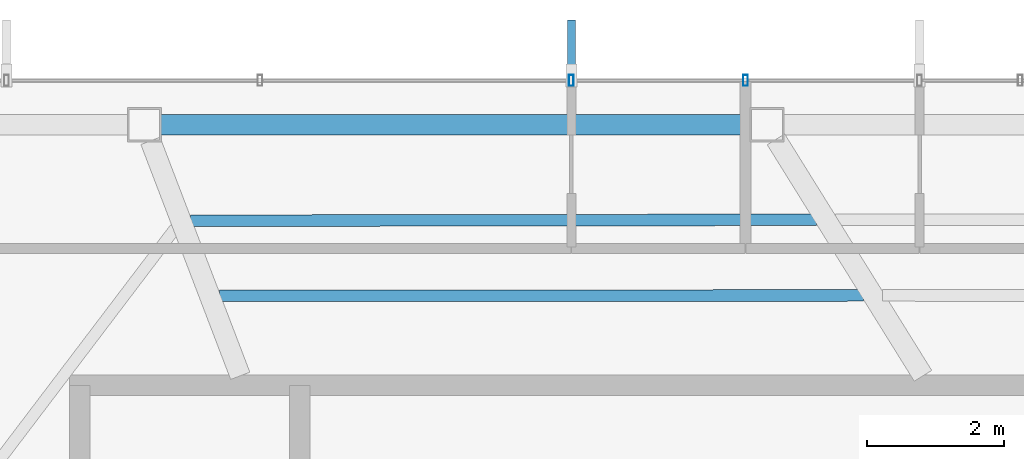
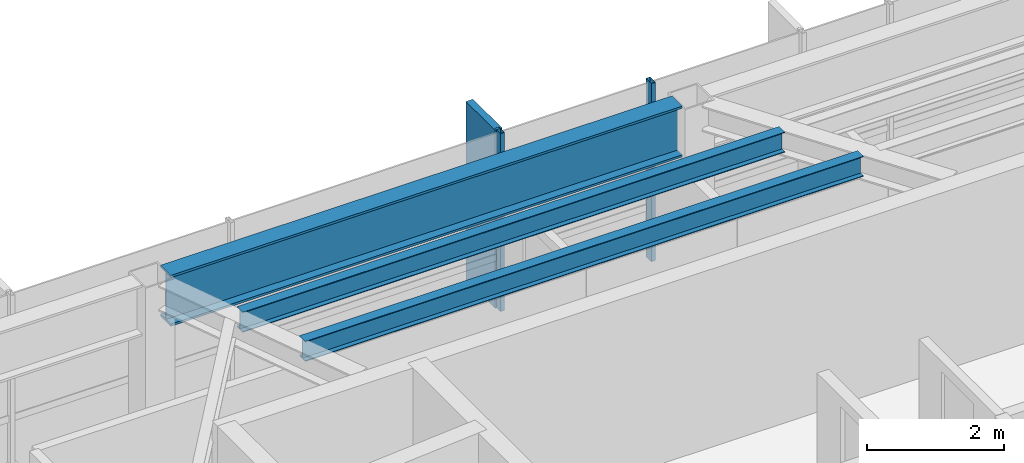
# One storey, part 12 of 26: 3 beams, 3 members, 1 element without a shape of its own.
"""IFC4 building model written with IfcOpenShell, lengths in metres."""

from ifc_helpers import new_model, si_unit, direction, frame, origin, origin_2d, place, context, subcontext, project, spatial, rectangle, hollow_rectangle, i_section, extrude, material, layer, layer_set, material_profile, profile_set, type_object, element, aggregate, save


model = new_model("IFC4")

# Units and contexts
model_context = context("Model", 3, precision=1e-05, world=origin(), true_north=direction((0.0, 1.0)))
body_context = subcontext(model_context, "Body", "Model", "MODEL_VIEW")
ifc_project = project(units=[si_unit("LENGTHUNIT", "METRE"), si_unit("AREAUNIT", "SQUARE_METRE"), si_unit("VOLUMEUNIT", "CUBIC_METRE"), si_unit("PLANEANGLEUNIT", "RADIAN"), si_unit("MASSUNIT", "GRAM", prefix="KILO")], contexts=[model_context])

# Site, building, storey
site_placement = place(None, origin())
site = spatial("IfcSite", under=ifc_project, at=site_placement, CompositionType="ELEMENT")
building_placement = place(site_placement, origin())
building = spatial("IfcBuilding", under=site, at=building_placement, Name="Zarrinselat Tower", CompositionType="ELEMENT")
storey_placement = place(building_placement, frame((0.0, 0.0, 258.39990234375)))
storey = spatial("IfcBuildingStorey", under=building, at=storey_placement, Name="L65", CompositionType="ELEMENT", Elevation=258.39990234375)

# Beams
ifc_material_1 = material(Name="Steel S460M", Category="steel")
ifc_material_profile_1 = material_profile(ifc_material_1, i_section(OverallWidth=0.302001953125, OverallDepth=0.909912109375, WebThickness=0.02099609375, FlangeThickness=0.0400390625, at=origin_2d()), Name="HEM 900")
ifc_profile_set_1 = profile_set([ifc_material_profile_1], Name="Steel S460M")
beam_type_1 = type_object("IfcBeamType", Name="BM-HEM900", PredefinedType="BEAM", material=ifc_profile_set_1)
beam_1_placement = place(storey_placement, frame((29.8330078125, 47.216796875, 2.72509765625), z_axis=(1.0, 0.0, 0.0), x_axis=(0.0, 1.0, 0.0)))
element("IfcBeam", 1, at=beam_1_placement, inside=storey, type_object=beam_type_1, Name="L65 Perimeter Spandrel Girder SP03", PredefinedType="BEAM", context=body_context, shape_type="SweptSolid", body=[
    extrude(i_section(OverallWidth=0.302001953125, OverallDepth=0.909912109375, WebThickness=0.02099609375, FlangeThickness=0.0400390625, at=origin_2d()), origin(), (0.0, 0.0, 1.0), 8.642822265625),
])
ifc_material_2 = material(Name="Steel S355J2", Category="steel")
ifc_material_profile_2 = material_profile(ifc_material_2, i_section(OverallWidth=0.169921875, OverallDepth=0.360107421875, WebThickness=0.008056640625, FlangeThickness=0.0126953125, at=origin_2d()), Name="IPE 360")
ifc_profile_set_2 = profile_set([ifc_material_profile_2], Name="Steel S355J2")
beam_type_2 = type_object("IfcBeamType", Name="BM-IPE360", PredefinedType="JOIST", material=ifc_profile_set_2)
beam_2_placement = place(storey_placement, frame((30.272216796875, 45.8115234375, 3.0), z_axis=(0.999998887769, 0.001491462373, 0.0), x_axis=(-0.001491462373, 0.999998887769, 0.0)))
element("IfcBeam", 2, at=beam_2_placement, inside=storey, type_object=beam_type_2, Name="L65 Composite Floor Joist 8-1", PredefinedType="JOIST", context=body_context, shape_type="SweptSolid", body=[
    extrude(i_section(OverallWidth=0.169921875, OverallDepth=0.360107421875, WebThickness=0.008056640625, FlangeThickness=0.0126953125, at=origin_2d()), origin(), (0.0, 0.0, 1.0), 9.166748046875),
])
beam_3_placement = place(storey_placement, frame((30.69287109375, 44.710205078125, 3.0), z_axis=(0.999999718449, 0.000750400865, 0.0), x_axis=(-0.000750400865, 0.999999718449, 0.0)))
element("IfcBeam", 3, at=beam_3_placement, inside=storey, type_object=beam_type_2, Name="L65 Composite Floor Joist 8-2", PredefinedType="JOIST", context=body_context, shape_type="SweptSolid", body=[
    extrude(i_section(OverallWidth=0.169921875, OverallDepth=0.360107421875, WebThickness=0.008056640625, FlangeThickness=0.0126953125, at=origin_2d()), origin(), (0.0, 0.0, 1.0), 9.43505859375),
])

# Curtain wall, members
ifc_material_3 = material(Name="Extruded Aluminium Alloy EN AW-6063 T6", Category="aluminium")
ifc_layer = layer(ifc_material_3, 0.169921875)
ifc_layer_set = layer_set([ifc_layer], Name="Extruded Aluminium Alloy EN AW-6063 T6")
curtain_wall_type = type_object("IfcCurtainWallType", Name="CWS-RES", PredefinedType="NOTDEFINED", material=ifc_layer_set)
curtain_wall_placement = place(storey_placement, origin())
curtain_wall = element("IfcCurtainWall", 4, at=curtain_wall_placement, inside=storey, type_object=curtain_wall_type, Name="L65 Unitised Curtain Wall CW-L65-E01", PredefinedType="NOTDEFINED")
ifc_material_4 = material(Name="Extruded Aluminium Alloy EN AW-6063 T6", Category="aluminium")
ifc_material_profile_3 = material_profile(ifc_material_4, hollow_rectangle(XDim=0.070068359375, YDim=0.159912109375, WallThickness=0.00390625, at=origin_2d()), Name="RHS 160x70x4")
ifc_profile_set_3 = profile_set([ifc_material_profile_3], Name="Extruded Aluminium Alloy EN AW-6063 T6")
member_type_1 = type_object("IfcMemberType", Name="MEM-CW-MUL2", PredefinedType="MULLION", material=ifc_profile_set_3)
member_1_placement = place(storey_placement, frame((38.39990234375, 47.86669921875, 0.0), z_axis=(0.0, 0.0, 1.0), x_axis=(-1.0, 0.0, 0.0)))
member_1 = element("IfcMember", 5, at=member_1_placement, type_object=member_type_1, Name="CW-L65-E01 Mullion 6", PredefinedType="MULLION", context=body_context, shape_type="SweptSolid", body=[
    extrude(hollow_rectangle(XDim=0.070068359375, YDim=0.159912109375, WallThickness=0.00390625, at=origin_2d()), origin(), (0.0, 0.0, 1.0), 3.18017578125),
])
member_2_placement = place(storey_placement, frame((35.85009765625, 47.86669921875, 0.0), z_axis=(0.0, 0.0, 1.0), x_axis=(-1.0, 0.0, 0.0)))
member_2 = element("IfcMember", 6, at=member_2_placement, type_object=member_type_1, Name="CW-L65-E01 Mullion 7", PredefinedType="MULLION", context=body_context, shape_type="SweptSolid", body=[
    extrude(hollow_rectangle(XDim=0.070068359375, YDim=0.159912109375, WallThickness=0.00390625, at=origin_2d()), origin(), (0.0, 0.0, 1.0), 3.18017578125),
])
ifc_material_5 = material(Name="Honed Cream Travertine Stone", Category="masonry")
ifc_material_profile_4 = material_profile(ifc_material_5, rectangle(XDim=0.1201171875, YDim=0.85009765625, at=origin_2d()), Name="FIN 850x120")
ifc_profile_set_4 = profile_set([ifc_material_profile_4], Name="Honed Cream Travertine Stone")
member_type_2 = type_object("IfcMemberType", Name="MEM-STONE-FIN", PredefinedType="USERDEFINED", material=ifc_profile_set_4)
member_3_placement = place(storey_placement, frame((35.85009765625, 48.32666015625, 0.0), z_axis=(0.0, 0.0, 1.0), x_axis=(1.0, 0.0, 0.0)))
member_3 = element("IfcMember", 7, at=member_3_placement, type_object=member_type_2, Name="L65 Stone Shading Fin CW-L65-E01-07", ObjectType="FIN", PredefinedType="USERDEFINED", context=body_context, shape_type="SweptSolid", body=[
    extrude(rectangle(XDim=0.1201171875, YDim=0.85009765625, at=origin_2d()), origin(), (0.0, 0.0, 1.0), 3.18017578125),
])
aggregate(curtain_wall, [member_1, member_2, member_3])

save(model, "model.ifc")
